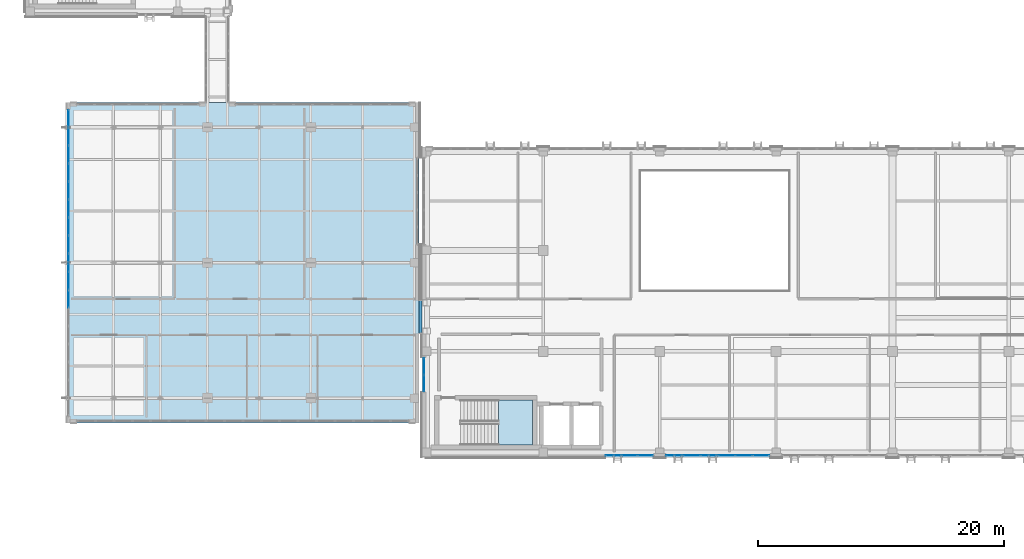
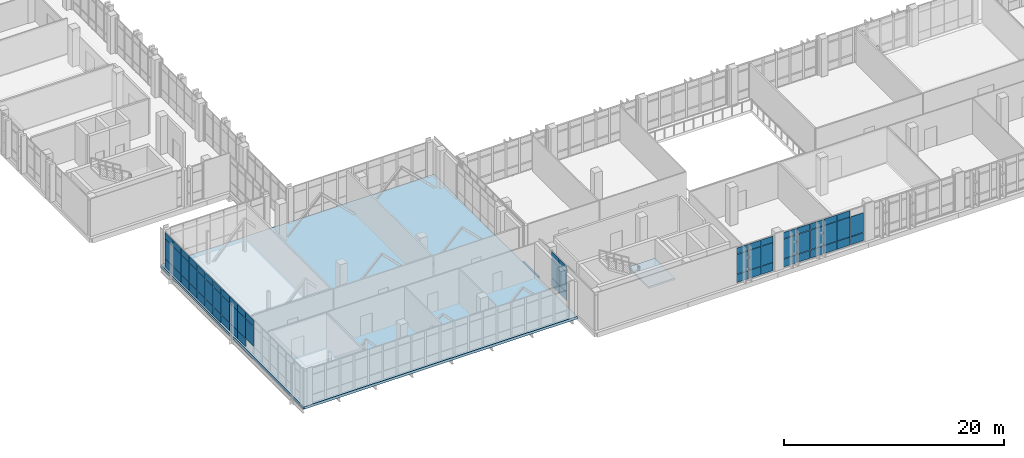
# One storey, part 131 of 193: 64 plates, 3 slabs, 5 elements without a shape of their own.
"""IFC4 building model written with IfcOpenShell, lengths in metres."""

from ifc_helpers import new_model, si_unit, direction, frame, origin, origin_2d, place, context, subcontext, project, spatial, polyline, rectangle, outline, extrude, material, layer, layer_set, type_object, element, aggregate, save


model = new_model("IFC4")

# Units and contexts
model_context = context("Model", 3, precision=1e-05, world=origin(), true_north=direction((0.0, 1.0)))
body_context = subcontext(model_context, "Body", "Model", "MODEL_VIEW")
ifc_project = project(units=[si_unit("LENGTHUNIT", "METRE"), si_unit("AREAUNIT", "SQUARE_METRE"), si_unit("VOLUMEUNIT", "CUBIC_METRE"), si_unit("PLANEANGLEUNIT", "RADIAN"), si_unit("MASSUNIT", "GRAM", prefix="KILO")], contexts=[model_context])

# Site, building, storey
site_placement = place(None, origin())
site = spatial("IfcSite", under=ifc_project, at=site_placement, CompositionType="ELEMENT")
building_placement = place(site_placement, origin())
building = spatial("IfcBuilding", under=site, at=building_placement, Name="Qalavern Law Courts", CompositionType="ELEMENT")
storey_placement = place(building_placement, frame((0.0, 0.0, 10.199951171875)))
storey = spatial("IfcBuildingStorey", under=building, at=storey_placement, Name="L02", CompositionType="ELEMENT", Elevation=10.199951171875)

# Curtain wall, plates
ifc_material_1 = material(Name="Anodised aluminium and insulated glazing", Category="aluminium")
ifc_layer_1 = layer(ifc_material_1, 0.199951171875)
ifc_layer_set_1 = layer_set([ifc_layer_1], Name="Anodised aluminium and insulated glazing")
curtain_wall_type_1 = type_object("IfcCurtainWallType", Name="ENV-CW-FOYER", PredefinedType="USERDEFINED", material=ifc_layer_set_1)
curtain_wall_1_placement = place(storey_placement, origin())
curtain_wall_1 = element("IfcCurtainWall", 1, at=curtain_wall_1_placement, inside=storey, type_object=curtain_wall_type_1, Name="V1 unitised curtain wall L02 west 1", ObjectType="UNITISED CURTAIN WALL", PredefinedType="USERDEFINED")
ifc_material_2 = material(Name="Insulated low-E acoustic glazing", Category="glass")
ifc_layer_2 = layer(ifc_material_2, 0.048095703125)
ifc_layer_set_2 = layer_set([ifc_layer_2], Name="Insulated low-E acoustic glazing")
plate_type_1 = type_object("IfcPlateType", Name="ENV-CWP-48", PredefinedType="CURTAIN_PANEL", material=ifc_layer_set_2)
plate_1_placement = place(storey_placement, frame((5.5048828125, 32.70556640625, 0.048095703125), z_axis=(0.0, 0.0, 1.0), x_axis=(0.0, -1.0, 0.0)))
plate_1 = element("IfcPlate", 2, at=plate_1_placement, type_object=plate_type_1, Name="CW-01 panel 1.1", PredefinedType="CURTAIN_PANEL", context=body_context, shape_type="SweptSolid", body=[
    extrude(rectangle(XDim=1.392822265625, YDim=0.048095703125, at=origin_2d()), origin(), (0.0, 0.0, 1.0), 0.8779296875),
])
plate_2_placement = place(storey_placement, frame((5.5048828125, 32.70556640625, 0.97412109375), z_axis=(0.0, 0.0, 1.0), x_axis=(0.0, -1.0, 0.0)))
plate_2 = element("IfcPlate", 3, at=plate_2_placement, type_object=plate_type_1, Name="CW-01 panel 1.2", PredefinedType="CURTAIN_PANEL", context=body_context, shape_type="SweptSolid", body=[
    extrude(rectangle(XDim=1.392822265625, YDim=0.048095703125, at=origin_2d()), origin(), (0.0, 0.0, 1.0), 2.1669921875),
])
plate_3_placement = place(storey_placement, frame((5.5048828125, 32.70556640625, 3.18896484375), z_axis=(0.0, 0.0, 1.0), x_axis=(0.0, -1.0, 0.0)))
plate_3 = element("IfcPlate", 4, at=plate_3_placement, type_object=plate_type_1, Name="CW-01 panel 1.3", PredefinedType="CURTAIN_PANEL", context=body_context, shape_type="SweptSolid", body=[
    extrude(rectangle(XDim=1.392822265625, YDim=0.048095703125, at=origin_2d()), origin(), (0.0, 0.0, 1.0), 0.677978515625),
])
plate_4_placement = place(storey_placement, frame((5.5048828125, 31.2529296875, 0.048095703125), z_axis=(0.0, 0.0, 1.0), x_axis=(0.0, -1.0, 0.0)))
plate_4 = element("IfcPlate", 5, at=plate_4_placement, type_object=plate_type_1, Name="CW-01 panel 2.1", PredefinedType="CURTAIN_PANEL", context=body_context, shape_type="SweptSolid", body=[
    extrude(rectangle(XDim=1.416748046875, YDim=0.048095703125, at=origin_2d()), origin(), (0.0, 0.0, 1.0), 0.8779296875),
])
plate_5_placement = place(storey_placement, frame((5.5048828125, 31.2529296875, 0.97412109375), z_axis=(0.0, 0.0, 1.0), x_axis=(0.0, -1.0, 0.0)))
plate_5 = element("IfcPlate", 6, at=plate_5_placement, type_object=plate_type_1, Name="CW-01 panel 2.2", PredefinedType="CURTAIN_PANEL", context=body_context, shape_type="SweptSolid", body=[
    extrude(rectangle(XDim=1.416748046875, YDim=0.048095703125, at=origin_2d()), origin(), (0.0, 0.0, 1.0), 2.1669921875),
])
plate_6_placement = place(storey_placement, frame((5.5048828125, 31.2529296875, 3.18896484375), z_axis=(0.0, 0.0, 1.0), x_axis=(0.0, -1.0, 0.0)))
plate_6 = element("IfcPlate", 7, at=plate_6_placement, type_object=plate_type_1, Name="CW-01 panel 2.3", PredefinedType="CURTAIN_PANEL", context=body_context, shape_type="SweptSolid", body=[
    extrude(rectangle(XDim=1.416748046875, YDim=0.048095703125, at=origin_2d()), origin(), (0.0, 0.0, 1.0), 0.677978515625),
])
plate_7_placement = place(storey_placement, frame((5.5048828125, 29.788330078125, 0.048095703125), z_axis=(0.0, 0.0, 1.0), x_axis=(0.0, -1.0, 0.0)))
plate_7 = element("IfcPlate", 8, at=plate_7_placement, type_object=plate_type_1, Name="CW-01 panel 3.1", PredefinedType="CURTAIN_PANEL", context=body_context, shape_type="SweptSolid", body=[
    extrude(rectangle(XDim=1.416748046875, YDim=0.048095703125, at=origin_2d()), origin(), (0.0, 0.0, 1.0), 0.8779296875),
])
plate_8_placement = place(storey_placement, frame((5.5048828125, 29.788330078125, 0.97412109375), z_axis=(0.0, 0.0, 1.0), x_axis=(0.0, -1.0, 0.0)))
plate_8 = element("IfcPlate", 9, at=plate_8_placement, type_object=plate_type_1, Name="CW-01 panel 3.2", PredefinedType="CURTAIN_PANEL", context=body_context, shape_type="SweptSolid", body=[
    extrude(rectangle(XDim=1.416748046875, YDim=0.048095703125, at=origin_2d()), origin(), (0.0, 0.0, 1.0), 2.1669921875),
])
plate_9_placement = place(storey_placement, frame((5.5048828125, 29.788330078125, 3.18896484375), z_axis=(0.0, 0.0, 1.0), x_axis=(0.0, -1.0, 0.0)))
plate_9 = element("IfcPlate", 10, at=plate_9_placement, type_object=plate_type_1, Name="CW-01 panel 3.3", PredefinedType="CURTAIN_PANEL", context=body_context, shape_type="SweptSolid", body=[
    extrude(rectangle(XDim=1.416748046875, YDim=0.048095703125, at=origin_2d()), origin(), (0.0, 0.0, 1.0), 0.677978515625),
])
plate_10_placement = place(storey_placement, frame((5.5048828125, 28.323486328125, 0.048095703125), z_axis=(0.0, 0.0, 1.0), x_axis=(0.0, -1.0, 0.0)))
plate_10 = element("IfcPlate", 11, at=plate_10_placement, type_object=plate_type_1, Name="CW-01 panel 4.1", PredefinedType="CURTAIN_PANEL", context=body_context, shape_type="SweptSolid", body=[
    extrude(rectangle(XDim=1.416748046875, YDim=0.048095703125, at=origin_2d()), origin(), (0.0, 0.0, 1.0), 0.8779296875),
])
plate_11_placement = place(storey_placement, frame((5.5048828125, 28.323486328125, 0.97412109375), z_axis=(0.0, 0.0, 1.0), x_axis=(0.0, -1.0, 0.0)))
plate_11 = element("IfcPlate", 12, at=plate_11_placement, type_object=plate_type_1, Name="CW-01 panel 4.2", PredefinedType="CURTAIN_PANEL", context=body_context, shape_type="SweptSolid", body=[
    extrude(rectangle(XDim=1.416748046875, YDim=0.048095703125, at=origin_2d()), origin(), (0.0, 0.0, 1.0), 2.1669921875),
])
plate_12_placement = place(storey_placement, frame((5.5048828125, 28.323486328125, 3.18896484375), z_axis=(0.0, 0.0, 1.0), x_axis=(0.0, -1.0, 0.0)))
plate_12 = element("IfcPlate", 13, at=plate_12_placement, type_object=plate_type_1, Name="CW-01 panel 4.3", PredefinedType="CURTAIN_PANEL", context=body_context, shape_type="SweptSolid", body=[
    extrude(rectangle(XDim=1.416748046875, YDim=0.048095703125, at=origin_2d()), origin(), (0.0, 0.0, 1.0), 0.677978515625),
])
plate_13_placement = place(storey_placement, frame((5.5048828125, 26.85888671875, 0.048095703125), z_axis=(0.0, 0.0, 1.0), x_axis=(0.0, -1.0, 0.0)))
plate_13 = element("IfcPlate", 14, at=plate_13_placement, type_object=plate_type_1, Name="CW-01 panel 5.1", PredefinedType="CURTAIN_PANEL", context=body_context, shape_type="SweptSolid", body=[
    extrude(rectangle(XDim=1.416748046875, YDim=0.048095703125, at=origin_2d()), origin(), (0.0, 0.0, 1.0), 0.8779296875),
])
plate_14_placement = place(storey_placement, frame((5.5048828125, 26.85888671875, 0.97412109375), z_axis=(0.0, 0.0, 1.0), x_axis=(0.0, -1.0, 0.0)))
plate_14 = element("IfcPlate", 15, at=plate_14_placement, type_object=plate_type_1, Name="CW-01 panel 5.2", PredefinedType="CURTAIN_PANEL", context=body_context, shape_type="SweptSolid", body=[
    extrude(rectangle(XDim=1.416748046875, YDim=0.048095703125, at=origin_2d()), origin(), (0.0, 0.0, 1.0), 2.1669921875),
])
plate_15_placement = place(storey_placement, frame((5.5048828125, 26.85888671875, 3.18896484375), z_axis=(0.0, 0.0, 1.0), x_axis=(0.0, -1.0, 0.0)))
plate_15 = element("IfcPlate", 16, at=plate_15_placement, type_object=plate_type_1, Name="CW-01 panel 5.3", PredefinedType="CURTAIN_PANEL", context=body_context, shape_type="SweptSolid", body=[
    extrude(rectangle(XDim=1.416748046875, YDim=0.048095703125, at=origin_2d()), origin(), (0.0, 0.0, 1.0), 0.677978515625),
])
plate_16_placement = place(storey_placement, frame((5.5048828125, 25.39404296875, 0.048095703125), z_axis=(0.0, 0.0, 1.0), x_axis=(0.0, -1.0, 0.0)))
plate_16 = element("IfcPlate", 17, at=plate_16_placement, type_object=plate_type_1, Name="CW-01 panel 6.1", PredefinedType="CURTAIN_PANEL", context=body_context, shape_type="SweptSolid", body=[
    extrude(rectangle(XDim=1.416748046875, YDim=0.048095703125, at=origin_2d()), origin(), (0.0, 0.0, 1.0), 0.8779296875),
])
plate_17_placement = place(storey_placement, frame((5.5048828125, 25.39404296875, 0.97412109375), z_axis=(0.0, 0.0, 1.0), x_axis=(0.0, -1.0, 0.0)))
plate_17 = element("IfcPlate", 18, at=plate_17_placement, type_object=plate_type_1, Name="CW-01 panel 6.2", PredefinedType="CURTAIN_PANEL", context=body_context, shape_type="SweptSolid", body=[
    extrude(rectangle(XDim=1.416748046875, YDim=0.048095703125, at=origin_2d()), origin(), (0.0, 0.0, 1.0), 2.1669921875),
])
plate_18_placement = place(storey_placement, frame((5.5048828125, 25.39404296875, 3.18896484375), z_axis=(0.0, 0.0, 1.0), x_axis=(0.0, -1.0, 0.0)))
plate_18 = element("IfcPlate", 19, at=plate_18_placement, type_object=plate_type_1, Name="CW-01 panel 6.3", PredefinedType="CURTAIN_PANEL", context=body_context, shape_type="SweptSolid", body=[
    extrude(rectangle(XDim=1.416748046875, YDim=0.048095703125, at=origin_2d()), origin(), (0.0, 0.0, 1.0), 0.677978515625),
])
plate_19_placement = place(storey_placement, frame((5.5048828125, 23.929443359375, 0.048095703125), z_axis=(0.0, 0.0, 1.0), x_axis=(0.0, -1.0, 0.0)))
plate_19 = element("IfcPlate", 20, at=plate_19_placement, type_object=plate_type_1, Name="CW-01 panel 7.1", PredefinedType="CURTAIN_PANEL", context=body_context, shape_type="SweptSolid", body=[
    extrude(rectangle(XDim=1.416748046875, YDim=0.048095703125, at=origin_2d()), origin(), (0.0, 0.0, 1.0), 0.8779296875),
])
plate_20_placement = place(storey_placement, frame((5.5048828125, 23.929443359375, 0.97412109375), z_axis=(0.0, 0.0, 1.0), x_axis=(0.0, -1.0, 0.0)))
plate_20 = element("IfcPlate", 21, at=plate_20_placement, type_object=plate_type_1, Name="CW-01 panel 7.2", PredefinedType="CURTAIN_PANEL", context=body_context, shape_type="SweptSolid", body=[
    extrude(rectangle(XDim=1.416748046875, YDim=0.048095703125, at=origin_2d()), origin(), (0.0, 0.0, 1.0), 2.1669921875),
])
plate_21_placement = place(storey_placement, frame((5.5048828125, 23.929443359375, 3.18896484375), z_axis=(0.0, 0.0, 1.0), x_axis=(0.0, -1.0, 0.0)))
plate_21 = element("IfcPlate", 22, at=plate_21_placement, type_object=plate_type_1, Name="CW-01 panel 7.3", PredefinedType="CURTAIN_PANEL", context=body_context, shape_type="SweptSolid", body=[
    extrude(rectangle(XDim=1.416748046875, YDim=0.048095703125, at=origin_2d()), origin(), (0.0, 0.0, 1.0), 0.677978515625),
])
plate_22_placement = place(storey_placement, frame((5.5048828125, 22.464599609375, 0.048095703125), z_axis=(0.0, 0.0, 1.0), x_axis=(0.0, -1.0, 0.0)))
plate_22 = element("IfcPlate", 23, at=plate_22_placement, type_object=plate_type_1, Name="CW-01 panel 8.1", PredefinedType="CURTAIN_PANEL", context=body_context, shape_type="SweptSolid", body=[
    extrude(rectangle(XDim=1.416748046875, YDim=0.048095703125, at=origin_2d()), origin(), (0.0, 0.0, 1.0), 0.8779296875),
])
plate_23_placement = place(storey_placement, frame((5.5048828125, 22.464599609375, 0.97412109375), z_axis=(0.0, 0.0, 1.0), x_axis=(0.0, -1.0, 0.0)))
plate_23 = element("IfcPlate", 24, at=plate_23_placement, type_object=plate_type_1, Name="CW-01 panel 8.2", PredefinedType="CURTAIN_PANEL", context=body_context, shape_type="SweptSolid", body=[
    extrude(rectangle(XDim=1.416748046875, YDim=0.048095703125, at=origin_2d()), origin(), (0.0, 0.0, 1.0), 2.1669921875),
])
plate_24_placement = place(storey_placement, frame((5.5048828125, 22.464599609375, 3.18896484375), z_axis=(0.0, 0.0, 1.0), x_axis=(0.0, -1.0, 0.0)))
plate_24 = element("IfcPlate", 25, at=plate_24_placement, type_object=plate_type_1, Name="CW-01 panel 8.3", PredefinedType="CURTAIN_PANEL", context=body_context, shape_type="SweptSolid", body=[
    extrude(rectangle(XDim=1.416748046875, YDim=0.048095703125, at=origin_2d()), origin(), (0.0, 0.0, 1.0), 0.677978515625),
])
plate_25_placement = place(storey_placement, frame((5.5048828125, 21.0, 0.048095703125), z_axis=(0.0, 0.0, 1.0), x_axis=(0.0, -1.0, 0.0)))
plate_25 = element("IfcPlate", 26, at=plate_25_placement, type_object=plate_type_1, Name="CW-01 panel 9.1", PredefinedType="CURTAIN_PANEL", context=body_context, shape_type="SweptSolid", body=[
    extrude(rectangle(XDim=1.416748046875, YDim=0.048095703125, at=origin_2d()), origin(), (0.0, 0.0, 1.0), 0.8779296875),
])
plate_26_placement = place(storey_placement, frame((5.5048828125, 21.0, 0.97412109375), z_axis=(0.0, 0.0, 1.0), x_axis=(0.0, -1.0, 0.0)))
plate_26 = element("IfcPlate", 27, at=plate_26_placement, type_object=plate_type_1, Name="CW-01 panel 9.2", PredefinedType="CURTAIN_PANEL", context=body_context, shape_type="SweptSolid", body=[
    extrude(rectangle(XDim=1.416748046875, YDim=0.048095703125, at=origin_2d()), origin(), (0.0, 0.0, 1.0), 2.1669921875),
])
plate_27_placement = place(storey_placement, frame((5.5048828125, 21.0, 3.18896484375), z_axis=(0.0, 0.0, 1.0), x_axis=(0.0, -1.0, 0.0)))
plate_27 = element("IfcPlate", 28, at=plate_27_placement, type_object=plate_type_1, Name="CW-01 panel 9.3", PredefinedType="CURTAIN_PANEL", context=body_context, shape_type="SweptSolid", body=[
    extrude(rectangle(XDim=1.416748046875, YDim=0.048095703125, at=origin_2d()), origin(), (0.0, 0.0, 1.0), 0.677978515625),
])
plate_28_placement = place(storey_placement, frame((5.5048828125, 19.535400390625, 0.048095703125), z_axis=(0.0, 0.0, 1.0), x_axis=(0.0, -1.0, 0.0)))
plate_28 = element("IfcPlate", 29, at=plate_28_placement, type_object=plate_type_1, Name="CW-01 panel 10.1", PredefinedType="CURTAIN_PANEL", context=body_context, shape_type="SweptSolid", body=[
    extrude(rectangle(XDim=1.416748046875, YDim=0.048095703125, at=origin_2d()), origin(), (0.0, 0.0, 1.0), 0.8779296875),
])
plate_29_placement = place(storey_placement, frame((5.5048828125, 19.535400390625, 0.97412109375), z_axis=(0.0, 0.0, 1.0), x_axis=(0.0, -1.0, 0.0)))
plate_29 = element("IfcPlate", 30, at=plate_29_placement, type_object=plate_type_1, Name="CW-01 panel 10.2", PredefinedType="CURTAIN_PANEL", context=body_context, shape_type="SweptSolid", body=[
    extrude(rectangle(XDim=1.416748046875, YDim=0.048095703125, at=origin_2d()), origin(), (0.0, 0.0, 1.0), 2.1669921875),
])
plate_30_placement = place(storey_placement, frame((5.5048828125, 19.535400390625, 3.18896484375), z_axis=(0.0, 0.0, 1.0), x_axis=(0.0, -1.0, 0.0)))
plate_30 = element("IfcPlate", 31, at=plate_30_placement, type_object=plate_type_1, Name="CW-01 panel 10.3", PredefinedType="CURTAIN_PANEL", context=body_context, shape_type="SweptSolid", body=[
    extrude(rectangle(XDim=1.416748046875, YDim=0.048095703125, at=origin_2d()), origin(), (0.0, 0.0, 1.0), 0.677978515625),
])
plate_31_placement = place(storey_placement, frame((5.5048828125, 18.070556640625, 0.97412109375), z_axis=(0.0, 0.0, 1.0), x_axis=(0.0, -1.0, 0.0)))
plate_31 = element("IfcPlate", 32, at=plate_31_placement, type_object=plate_type_1, Name="CW-01 panel 11.2", PredefinedType="CURTAIN_PANEL", context=body_context, shape_type="SweptSolid", body=[
    extrude(rectangle(XDim=1.416748046875, YDim=0.048095703125, at=origin_2d()), origin(), (0.0, 0.0, 1.0), 2.1669921875),
])
plate_32_placement = place(storey_placement, frame((5.5048828125, 18.070556640625, 3.18896484375), z_axis=(0.0, 0.0, 1.0), x_axis=(0.0, -1.0, 0.0)))
plate_32 = element("IfcPlate", 33, at=plate_32_placement, type_object=plate_type_1, Name="CW-01 panel 11.3", PredefinedType="CURTAIN_PANEL", context=body_context, shape_type="SweptSolid", body=[
    extrude(rectangle(XDim=1.416748046875, YDim=0.048095703125, at=origin_2d()), origin(), (0.0, 0.0, 1.0), 0.677978515625),
])
aggregate(curtain_wall_1, [plate_1, plate_2, plate_3, plate_4, plate_5, plate_6, plate_7, plate_8, plate_9, plate_10, plate_11, plate_12, plate_13, plate_14, plate_15, plate_16, plate_17, plate_18, plate_19, plate_20, plate_21, plate_22, plate_23, plate_24, plate_25, plate_26, plate_27, plate_28, plate_29, plate_30, plate_31, plate_32])

ifc_layer_3 = layer(ifc_material_1, 0.18505859375)
ifc_layer_set_3 = layer_set([ifc_layer_3], Name="Anodised aluminium and insulated glazing")
curtain_wall_type_2 = type_object("IfcCurtainWallType", Name="ENV-CW-HALL", PredefinedType="USERDEFINED", material=ifc_layer_set_3)
curtain_wall_2_placement = place(storey_placement, origin())
curtain_wall_2 = element("IfcCurtainWall", 34, at=curtain_wall_2_placement, inside=storey, type_object=curtain_wall_type_2, Name="V2 unitised curtain wall L02 south 1", ObjectType="UNITISED CURTAIN WALL", PredefinedType="USERDEFINED")
plate_33_placement = place(storey_placement, frame((49.766845703125, 5.35498046875, 0.048095703125), z_axis=(0.0, 0.0, 1.0), x_axis=(1.0, 0.0, 0.0)))
plate_33 = element("IfcPlate", 35, at=plate_33_placement, type_object=plate_type_1, Name="CW-02 panel 1.1", PredefinedType="CURTAIN_PANEL", context=body_context, shape_type="SweptSolid", body=[
    extrude(rectangle(XDim=1.237548828125, YDim=0.048095703125, at=origin_2d()), origin(), (0.0, 0.0, 1.0), 0.8779296875),
])
plate_34_placement = place(storey_placement, frame((49.766845703125, 5.35498046875, 0.97412109375), z_axis=(0.0, 0.0, 1.0), x_axis=(1.0, 0.0, 0.0)))
plate_34 = element("IfcPlate", 36, at=plate_34_placement, type_object=plate_type_1, Name="CW-02 panel 1.2", PredefinedType="CURTAIN_PANEL", context=body_context, shape_type="SweptSolid", body=[
    extrude(rectangle(XDim=1.237548828125, YDim=0.048095703125, at=origin_2d()), origin(), (0.0, 0.0, 1.0), 2.1669921875),
])
plate_35_placement = place(storey_placement, frame((49.766845703125, 5.35498046875, 3.18896484375), z_axis=(0.0, 0.0, 1.0), x_axis=(1.0, 0.0, 0.0)))
plate_35 = element("IfcPlate", 37, at=plate_35_placement, type_object=plate_type_1, Name="CW-02 panel 1.3", PredefinedType="CURTAIN_PANEL", context=body_context, shape_type="SweptSolid", body=[
    extrude(rectangle(XDim=1.237548828125, YDim=0.048095703125, at=origin_2d()), origin(), (0.0, 0.0, 1.0), 0.677978515625),
])
plate_36_placement = place(storey_placement, frame((51.064208984375, 5.35498046875, 0.048095703125), z_axis=(0.0, 0.0, 1.0), x_axis=(1.0, 0.0, 0.0)))
plate_36 = element("IfcPlate", 38, at=plate_36_placement, type_object=plate_type_1, Name="CW-02 panel 2.1", PredefinedType="CURTAIN_PANEL", context=body_context, shape_type="SweptSolid", body=[
    extrude(rectangle(XDim=1.261474609375, YDim=0.048095703125, at=origin_2d()), origin(), (0.0, 0.0, 1.0), 0.8779296875),
])
plate_37_placement = place(storey_placement, frame((51.064208984375, 5.35498046875, 0.97412109375), z_axis=(0.0, 0.0, 1.0), x_axis=(1.0, 0.0, 0.0)))
plate_37 = element("IfcPlate", 39, at=plate_37_placement, type_object=plate_type_1, Name="CW-02 panel 2.2", PredefinedType="CURTAIN_PANEL", context=body_context, shape_type="SweptSolid", body=[
    extrude(rectangle(XDim=1.261474609375, YDim=0.048095703125, at=origin_2d()), origin(), (0.0, 0.0, 1.0), 2.1669921875),
])
plate_38_placement = place(storey_placement, frame((51.064208984375, 5.35498046875, 3.18896484375), z_axis=(0.0, 0.0, 1.0), x_axis=(1.0, 0.0, 0.0)))
plate_38 = element("IfcPlate", 40, at=plate_38_placement, type_object=plate_type_1, Name="CW-02 panel 2.3", PredefinedType="CURTAIN_PANEL", context=body_context, shape_type="SweptSolid", body=[
    extrude(rectangle(XDim=1.261474609375, YDim=0.048095703125, at=origin_2d()), origin(), (0.0, 0.0, 1.0), 0.677978515625),
])
plate_39_placement = place(storey_placement, frame((52.36181640625, 5.35498046875, 0.048095703125), z_axis=(0.0, 0.0, 1.0), x_axis=(1.0, 0.0, 0.0)))
plate_39 = element("IfcPlate", 41, at=plate_39_placement, type_object=plate_type_1, Name="CW-02 panel 3.1", PredefinedType="CURTAIN_PANEL", context=body_context, shape_type="SweptSolid", body=[
    extrude(rectangle(XDim=1.237548828125, YDim=0.048095703125, at=origin_2d()), origin(), (0.0, 0.0, 1.0), 0.8779296875),
])
plate_40_placement = place(storey_placement, frame((52.36181640625, 5.35498046875, 0.97412109375), z_axis=(0.0, 0.0, 1.0), x_axis=(1.0, 0.0, 0.0)))
plate_40 = element("IfcPlate", 42, at=plate_40_placement, type_object=plate_type_1, Name="CW-02 panel 3.2", PredefinedType="CURTAIN_PANEL", context=body_context, shape_type="SweptSolid", body=[
    extrude(rectangle(XDim=1.237548828125, YDim=0.048095703125, at=origin_2d()), origin(), (0.0, 0.0, 1.0), 2.1669921875),
])
plate_41_placement = place(storey_placement, frame((52.36181640625, 5.35498046875, 3.18896484375), z_axis=(0.0, 0.0, 1.0), x_axis=(1.0, 0.0, 0.0)))
plate_41 = element("IfcPlate", 43, at=plate_41_placement, type_object=plate_type_1, Name="CW-02 panel 3.3", PredefinedType="CURTAIN_PANEL", context=body_context, shape_type="SweptSolid", body=[
    extrude(rectangle(XDim=1.237548828125, YDim=0.048095703125, at=origin_2d()), origin(), (0.0, 0.0, 1.0), 0.677978515625),
])
aggregate(curtain_wall_2, [plate_33, plate_34, plate_35, plate_36, plate_37, plate_38, plate_39, plate_40, plate_41])

curtain_wall_3_placement = place(storey_placement, origin())
curtain_wall_3 = element("IfcCurtainWall", 44, at=curtain_wall_3_placement, inside=storey, type_object=curtain_wall_type_2, Name="V2 unitised curtain wall L02 south 2", ObjectType="UNITISED CURTAIN WALL", PredefinedType="USERDEFINED")
ifc_layer_4 = layer(ifc_material_2, 0.052001953125)
ifc_layer_set_4 = layer_set([ifc_layer_4], Name="Insulated low-E acoustic glazing")
plate_type_2 = type_object("IfcPlateType", Name="ENV-CWP-52", PredefinedType="CURTAIN_PANEL", material=ifc_layer_set_4)
plate_42_placement = place(storey_placement, frame((54.7451171875, 5.35498046875, 0.048095703125), z_axis=(0.0, 0.0, 1.0), x_axis=(1.0, 0.0, 0.0)))
plate_42 = element("IfcPlate", 45, at=plate_42_placement, type_object=plate_type_2, Name="CW-02 panel 1.1", PredefinedType="CURTAIN_PANEL", context=body_context, shape_type="SweptSolid", body=[
    extrude(rectangle(XDim=1.337158203125, YDim=0.052001953125, at=origin_2d()), origin(), (0.0, 0.0, 1.0), 0.8779296875),
])
plate_43_placement = place(storey_placement, frame((54.7451171875, 5.35498046875, 0.97412109375), z_axis=(0.0, 0.0, 1.0), x_axis=(1.0, 0.0, 0.0)))
plate_43 = element("IfcPlate", 46, at=plate_43_placement, type_object=plate_type_2, Name="CW-02 panel 1.2", PredefinedType="CURTAIN_PANEL", context=body_context, shape_type="SweptSolid", body=[
    extrude(rectangle(XDim=1.337158203125, YDim=0.052001953125, at=origin_2d()), origin(), (0.0, 0.0, 1.0), 2.1669921875),
])
plate_44_placement = place(storey_placement, frame((54.7451171875, 5.35498046875, 3.18896484375), z_axis=(0.0, 0.0, 1.0), x_axis=(1.0, 0.0, 0.0)))
plate_44 = element("IfcPlate", 47, at=plate_44_placement, type_object=plate_type_2, Name="CW-02 panel 1.3", PredefinedType="CURTAIN_PANEL", context=body_context, shape_type="SweptSolid", body=[
    extrude(rectangle(XDim=1.337158203125, YDim=0.052001953125, at=origin_2d()), origin(), (0.0, 0.0, 1.0), 0.677978515625),
])
plate_45_placement = place(storey_placement, frame((56.14208984375, 5.35498046875, 0.048095703125), z_axis=(0.0, 0.0, 1.0), x_axis=(1.0, 0.0, 0.0)))
plate_45 = element("IfcPlate", 48, at=plate_45_placement, type_object=plate_type_2, Name="CW-02 panel 2.1", PredefinedType="CURTAIN_PANEL", context=body_context, shape_type="SweptSolid", body=[
    extrude(rectangle(XDim=1.361083984375, YDim=0.052001953125, at=origin_2d()), origin(), (0.0, 0.0, 1.0), 0.8779296875),
])
plate_46_placement = place(storey_placement, frame((56.14208984375, 5.35498046875, 0.97412109375), z_axis=(0.0, 0.0, 1.0), x_axis=(1.0, 0.0, 0.0)))
plate_46 = element("IfcPlate", 49, at=plate_46_placement, type_object=plate_type_2, Name="CW-02 panel 2.2", PredefinedType="CURTAIN_PANEL", context=body_context, shape_type="SweptSolid", body=[
    extrude(rectangle(XDim=1.361083984375, YDim=0.052001953125, at=origin_2d()), origin(), (0.0, 0.0, 1.0), 2.1669921875),
])
plate_47_placement = place(storey_placement, frame((56.14208984375, 5.35498046875, 3.18896484375), z_axis=(0.0, 0.0, 1.0), x_axis=(1.0, 0.0, 0.0)))
plate_47 = element("IfcPlate", 50, at=plate_47_placement, type_object=plate_type_2, Name="CW-02 panel 2.3", PredefinedType="CURTAIN_PANEL", context=body_context, shape_type="SweptSolid", body=[
    extrude(rectangle(XDim=1.361083984375, YDim=0.052001953125, at=origin_2d()), origin(), (0.0, 0.0, 1.0), 0.677978515625),
])
plate_48_placement = place(storey_placement, frame((57.55126953125, 5.35498046875, 0.048095703125), z_axis=(0.0, 0.0, 1.0), x_axis=(1.0, 0.0, 0.0)))
plate_48 = element("IfcPlate", 51, at=plate_48_placement, type_object=plate_type_2, Name="CW-02 panel 3.1", PredefinedType="CURTAIN_PANEL", context=body_context, shape_type="SweptSolid", body=[
    extrude(rectangle(XDim=1.361083984375, YDim=0.052001953125, at=origin_2d()), origin(), (0.0, 0.0, 1.0), 0.8779296875),
])
plate_49_placement = place(storey_placement, frame((57.55126953125, 5.35498046875, 0.97412109375), z_axis=(0.0, 0.0, 1.0), x_axis=(1.0, 0.0, 0.0)))
plate_49 = element("IfcPlate", 52, at=plate_49_placement, type_object=plate_type_2, Name="CW-02 panel 3.2", PredefinedType="CURTAIN_PANEL", context=body_context, shape_type="SweptSolid", body=[
    extrude(rectangle(XDim=1.361083984375, YDim=0.052001953125, at=origin_2d()), origin(), (0.0, 0.0, 1.0), 2.1669921875),
])
plate_50_placement = place(storey_placement, frame((57.55126953125, 5.35498046875, 3.18896484375), z_axis=(0.0, 0.0, 1.0), x_axis=(1.0, 0.0, 0.0)))
plate_50 = element("IfcPlate", 53, at=plate_50_placement, type_object=plate_type_2, Name="CW-02 panel 3.3", PredefinedType="CURTAIN_PANEL", context=body_context, shape_type="SweptSolid", body=[
    extrude(rectangle(XDim=1.361083984375, YDim=0.052001953125, at=origin_2d()), origin(), (0.0, 0.0, 1.0), 0.677978515625),
])
plate_51_placement = place(storey_placement, frame((58.960205078125, 5.35498046875, 0.048095703125), z_axis=(0.0, 0.0, 1.0), x_axis=(1.0, 0.0, 0.0)))
plate_51 = element("IfcPlate", 54, at=plate_51_placement, type_object=plate_type_2, Name="CW-02 panel 4.1", PredefinedType="CURTAIN_PANEL", context=body_context, shape_type="SweptSolid", body=[
    extrude(rectangle(XDim=1.361083984375, YDim=0.052001953125, at=origin_2d()), origin(), (0.0, 0.0, 1.0), 0.8779296875),
])
plate_52_placement = place(storey_placement, frame((58.960205078125, 5.35498046875, 0.97412109375), z_axis=(0.0, 0.0, 1.0), x_axis=(1.0, 0.0, 0.0)))
plate_52 = element("IfcPlate", 55, at=plate_52_placement, type_object=plate_type_2, Name="CW-02 panel 4.2", PredefinedType="CURTAIN_PANEL", context=body_context, shape_type="SweptSolid", body=[
    extrude(rectangle(XDim=1.361083984375, YDim=0.052001953125, at=origin_2d()), origin(), (0.0, 0.0, 1.0), 2.1669921875),
])
plate_53_placement = place(storey_placement, frame((58.960205078125, 5.35498046875, 3.18896484375), z_axis=(0.0, 0.0, 1.0), x_axis=(1.0, 0.0, 0.0)))
plate_53 = element("IfcPlate", 56, at=plate_53_placement, type_object=plate_type_2, Name="CW-02 panel 4.3", PredefinedType="CURTAIN_PANEL", context=body_context, shape_type="SweptSolid", body=[
    extrude(rectangle(XDim=1.361083984375, YDim=0.052001953125, at=origin_2d()), origin(), (0.0, 0.0, 1.0), 0.677978515625),
])
plate_54_placement = place(storey_placement, frame((60.369384765625, 5.35498046875, 0.048095703125), z_axis=(0.0, 0.0, 1.0), x_axis=(1.0, 0.0, 0.0)))
plate_54 = element("IfcPlate", 57, at=plate_54_placement, type_object=plate_type_2, Name="CW-02 panel 5.1", PredefinedType="CURTAIN_PANEL", context=body_context, shape_type="SweptSolid", body=[
    extrude(rectangle(XDim=1.361083984375, YDim=0.052001953125, at=origin_2d()), origin(), (0.0, 0.0, 1.0), 0.8779296875),
])
plate_55_placement = place(storey_placement, frame((60.369384765625, 5.35498046875, 0.97412109375), z_axis=(0.0, 0.0, 1.0), x_axis=(1.0, 0.0, 0.0)))
plate_55 = element("IfcPlate", 58, at=plate_55_placement, type_object=plate_type_2, Name="CW-02 panel 5.2", PredefinedType="CURTAIN_PANEL", context=body_context, shape_type="SweptSolid", body=[
    extrude(rectangle(XDim=1.361083984375, YDim=0.052001953125, at=origin_2d()), origin(), (0.0, 0.0, 1.0), 2.1669921875),
])
plate_56_placement = place(storey_placement, frame((60.369384765625, 5.35498046875, 3.18896484375), z_axis=(0.0, 0.0, 1.0), x_axis=(1.0, 0.0, 0.0)))
plate_56 = element("IfcPlate", 59, at=plate_56_placement, type_object=plate_type_2, Name="CW-02 panel 5.3", PredefinedType="CURTAIN_PANEL", context=body_context, shape_type="SweptSolid", body=[
    extrude(rectangle(XDim=1.361083984375, YDim=0.052001953125, at=origin_2d()), origin(), (0.0, 0.0, 1.0), 0.677978515625),
])
plate_57_placement = place(storey_placement, frame((61.766357421875, 5.35498046875, 0.048095703125), z_axis=(0.0, 0.0, 1.0), x_axis=(1.0, 0.0, 0.0)))
plate_57 = element("IfcPlate", 60, at=plate_57_placement, type_object=plate_type_2, Name="CW-02 panel 6.1", PredefinedType="CURTAIN_PANEL", context=body_context, shape_type="SweptSolid", body=[
    extrude(rectangle(XDim=1.337158203125, YDim=0.052001953125, at=origin_2d()), origin(), (0.0, 0.0, 1.0), 0.8779296875),
])
plate_58_placement = place(storey_placement, frame((61.766357421875, 5.35498046875, 0.97412109375), z_axis=(0.0, 0.0, 1.0), x_axis=(1.0, 0.0, 0.0)))
plate_58 = element("IfcPlate", 61, at=plate_58_placement, type_object=plate_type_2, Name="CW-02 panel 6.2", PredefinedType="CURTAIN_PANEL", context=body_context, shape_type="SweptSolid", body=[
    extrude(rectangle(XDim=1.337158203125, YDim=0.052001953125, at=origin_2d()), origin(), (0.0, 0.0, 1.0), 2.1669921875),
])
aggregate(curtain_wall_3, [plate_42, plate_43, plate_44, plate_45, plate_46, plate_47, plate_48, plate_49, plate_50, plate_51, plate_52, plate_53, plate_54, plate_55, plate_56, plate_57, plate_58])

curtain_wall_4_placement = place(storey_placement, origin())
curtain_wall_4 = element("IfcCurtainWall", 62, at=curtain_wall_4_placement, inside=storey, type_object=curtain_wall_type_2, Name="V2 unitised curtain wall L02 west 1", ObjectType="UNITISED CURTAIN WALL", PredefinedType="USERDEFINED")
plate_59_placement = place(storey_placement, frame((34.375, 12.587890625, 0.048095703125), z_axis=(0.0, 0.0, 1.0), x_axis=(0.0, -1.0, 0.0)))
plate_59 = element("IfcPlate", 63, at=plate_59_placement, type_object=plate_type_2, Name="CW-02 panel 1.1", PredefinedType="CURTAIN_PANEL", context=body_context, shape_type="SweptSolid", body=[
    extrude(rectangle(XDim=1.327880859375, YDim=0.052001953125, at=origin_2d()), origin(), (0.0, 0.0, 1.0), 0.8779296875),
])
plate_60_placement = place(storey_placement, frame((34.375, 12.587890625, 0.97412109375), z_axis=(0.0, 0.0, 1.0), x_axis=(0.0, -1.0, 0.0)))
plate_60 = element("IfcPlate", 64, at=plate_60_placement, type_object=plate_type_2, Name="CW-02 panel 1.2", PredefinedType="CURTAIN_PANEL", context=body_context, shape_type="SweptSolid", body=[
    extrude(rectangle(XDim=1.327880859375, YDim=0.052001953125, at=origin_2d()), origin(), (0.0, 0.0, 1.0), 2.1669921875),
])
plate_61_placement = place(storey_placement, frame((34.375, 12.587890625, 3.18896484375), z_axis=(0.0, 0.0, 1.0), x_axis=(0.0, -1.0, 0.0)))
plate_61 = element("IfcPlate", 65, at=plate_61_placement, type_object=plate_type_2, Name="CW-02 panel 1.3", PredefinedType="CURTAIN_PANEL", context=body_context, shape_type="SweptSolid", body=[
    extrude(rectangle(XDim=1.327880859375, YDim=0.052001953125, at=origin_2d()), origin(), (0.0, 0.0, 1.0), 0.677978515625),
])
plate_62_placement = place(storey_placement, frame((34.375, 11.2119140625, 0.048095703125), z_axis=(0.0, 0.0, 1.0), x_axis=(0.0, -1.0, 0.0)))
plate_62 = element("IfcPlate", 66, at=plate_62_placement, type_object=plate_type_2, Name="CW-02 panel 2.1", PredefinedType="CURTAIN_PANEL", context=body_context, shape_type="SweptSolid", body=[
    extrude(rectangle(XDim=1.327880859375, YDim=0.052001953125, at=origin_2d()), origin(), (0.0, 0.0, 1.0), 0.8779296875),
])
plate_63_placement = place(storey_placement, frame((34.375, 11.2119140625, 0.97412109375), z_axis=(0.0, 0.0, 1.0), x_axis=(0.0, -1.0, 0.0)))
plate_63 = element("IfcPlate", 67, at=plate_63_placement, type_object=plate_type_2, Name="CW-02 panel 2.2", PredefinedType="CURTAIN_PANEL", context=body_context, shape_type="SweptSolid", body=[
    extrude(rectangle(XDim=1.327880859375, YDim=0.052001953125, at=origin_2d()), origin(), (0.0, 0.0, 1.0), 2.1669921875),
])
plate_64_placement = place(storey_placement, frame((34.375, 11.2119140625, 3.18896484375), z_axis=(0.0, 0.0, 1.0), x_axis=(0.0, -1.0, 0.0)))
plate_64 = element("IfcPlate", 68, at=plate_64_placement, type_object=plate_type_2, Name="CW-02 panel 2.3", PredefinedType="CURTAIN_PANEL", context=body_context, shape_type="SweptSolid", body=[
    extrude(rectangle(XDim=1.327880859375, YDim=0.052001953125, at=origin_2d()), origin(), (0.0, 0.0, 1.0), 0.677978515625),
])
aggregate(curtain_wall_4, [plate_59, plate_60, plate_61, plate_62, plate_63, plate_64])

# Stair, slab
ifc_material_3 = material(Name="Concrete C35/45", Category="concrete")
stair_type = type_object("IfcStairType", Name="INT-STAIR-1750", PredefinedType="HALF_TURN_STAIR", material=ifc_material_3)
stair_placement = place(storey_placement, origin())
stair = element("IfcStair", 69, at=stair_placement, inside=storey, type_object=stair_type, Name="L02 ST-K4", PredefinedType="HALF_TURN_STAIR")
ifc_layer_5 = layer(ifc_material_3, 0.199951171875)
ifc_layer_set_5 = layer_set([ifc_layer_5], Name="Concrete C35/45")
slab_type_1 = type_object("IfcSlabType", Name="INT-LANDING-200", PredefinedType="LANDING", material=ifc_layer_set_5)
slab_1_placement = place(storey_placement, frame((0.0, 0.0, 1.900146484375)))
slab_1 = element("IfcSlab", 70, at=slab_1_placement, type_object=slab_type_1, Name="ST-K4 landing 1", PredefinedType="LANDING", context=body_context, shape_type="SweptSolid", body=[
    extrude(outline(polyline([(40.429931640625, 6.199951171875), (43.199951171875, 6.199951171875), (43.199951171875, 9.85009765625), (40.429931640625, 9.85009765625), (40.429931640625, 6.199951171875)])), origin(), (0.0, 0.0, 1.0), 0.199951171875),
])
aggregate(stair, [slab_1])

# Slabs
ifc_material_4 = material(Name="Concrete C40/50", Category="concrete")
ifc_layer_6 = layer(ifc_material_4, 0.2900390625)
ifc_layer_set_6 = layer_set([ifc_layer_6], Name="Concrete C40/50")
slab_type_2 = type_object("IfcSlabType", Name="STR-SLB-L02-290", PredefinedType="FLOOR", material=ifc_layer_set_6)
slab_2_placement = place(storey_placement, frame((0.0, 0.0, -0.2900390625)))
element("IfcSlab", 71, at=slab_2_placement, inside=storey, type_object=slab_type_2, Name="V1 floor slab L02", PredefinedType="FLOOR", context=body_context, shape_type="SweptSolid", body=[
    extrude(outline(polyline([(5.35009765625, 8.0), (34.0, 8.0), (34.0, 34.0), (5.35009765625, 34.0), (5.35009765625, 8.0)])), origin(), (0.0, 0.0, 1.0), 0.2900390625),
])
slab_3_placement = place(storey_placement, frame((0.0, 0.0, -0.2900390625)))
element("IfcSlab", 72, at=slab_3_placement, inside=storey, type_object=slab_type_2, Name="Bridge BR-V1-V2 deck slab L02", PredefinedType="FLOOR", context=body_context, shape_type="SweptSolid", body=[
    extrude(outline(polyline([(34.0, 15.199951171875), (34.219970703125, 15.199951171875), (34.219970703125, 18.0), (34.0, 18.0), (34.0, 15.199951171875)])), origin(), (0.0, 0.0, 1.0), 0.2900390625),
])

save(model, "model.ifc")
